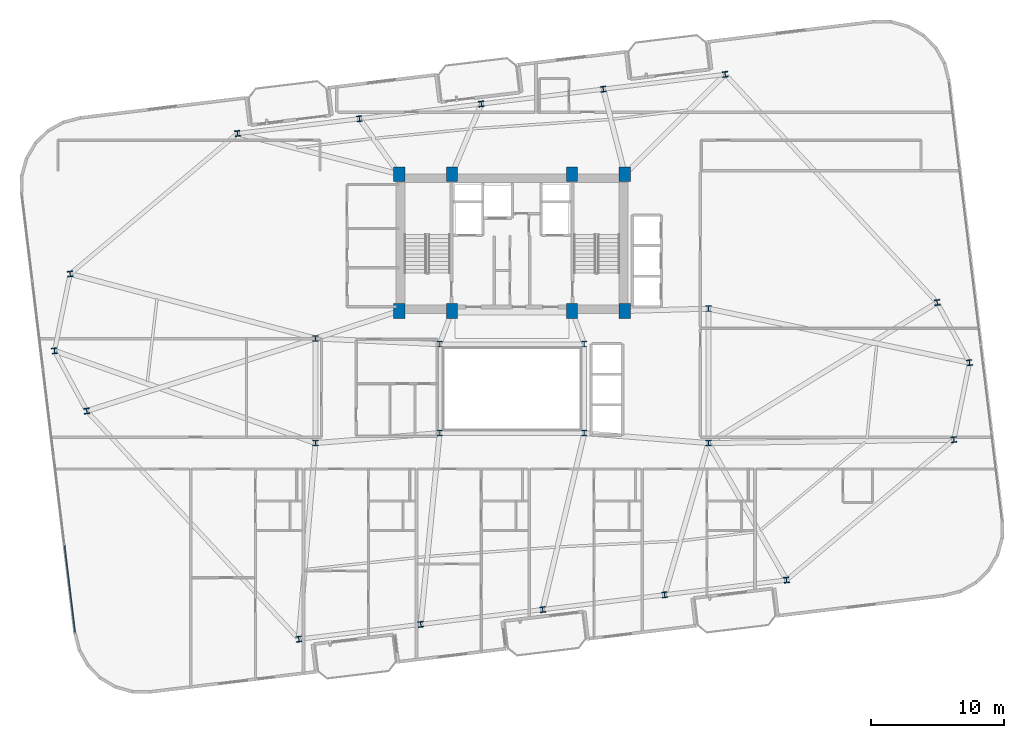
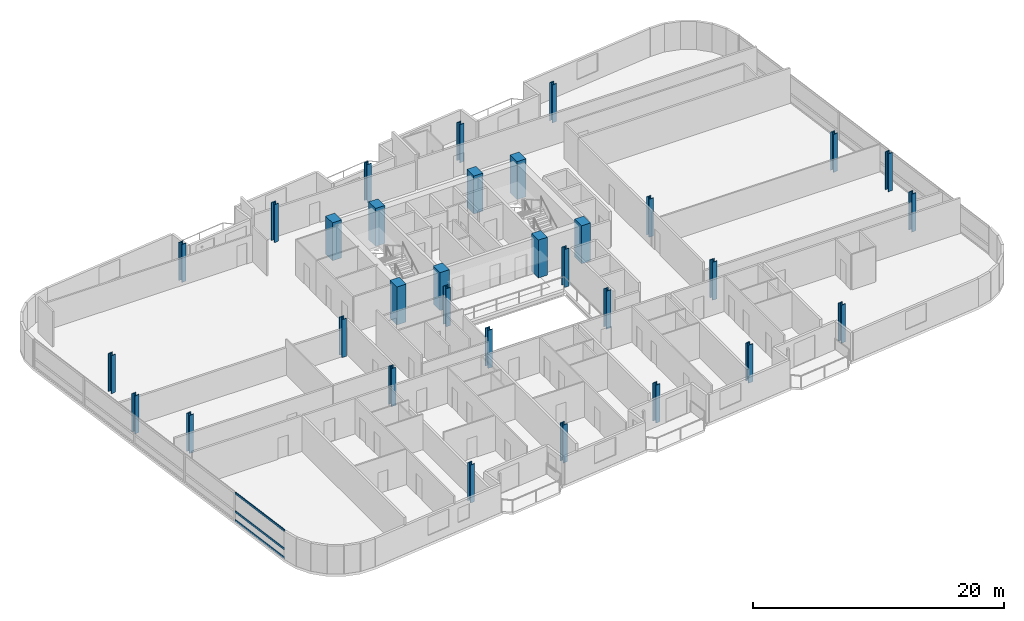
# One storey, part 1 of 23: 32 columns, 3 members, 1 element without a shape of its own.
"""IFC4 building model written with IfcOpenShell, lengths in metres."""

from ifc_helpers import new_model, si_unit, direction, frame, origin, origin_2d, place, context, subcontext, project, spatial, rectangle, hollow_rectangle, i_section, extrude, material, layer, layer_set, material_profile, profile_set, type_object, element, aggregate, save


model = new_model("IFC4")

# Units and contexts
model_context = context("Model", 3, precision=1e-05, world=origin(), true_north=direction((0.0, 1.0)))
body_context = subcontext(model_context, "Body", "Model", "MODEL_VIEW")
ifc_project = project(units=[si_unit("LENGTHUNIT", "METRE"), si_unit("AREAUNIT", "SQUARE_METRE"), si_unit("VOLUMEUNIT", "CUBIC_METRE"), si_unit("PLANEANGLEUNIT", "RADIAN"), si_unit("MASSUNIT", "GRAM", prefix="KILO")], contexts=[model_context])

# Site, building, storey
site_placement = place(None, origin())
site = spatial("IfcSite", under=ifc_project, at=site_placement, CompositionType="ELEMENT")
building_placement = place(site_placement, origin())
building = spatial("IfcBuilding", under=site, at=building_placement, Name="Varnelok Gate Tower", CompositionType="ELEMENT")
storey_placement = place(building_placement, frame((0.0, 0.0, 189.39990234375)))
storey = spatial("IfcBuildingStorey", under=building, at=storey_placement, Name="L48", CompositionType="ELEMENT", Elevation=189.39990234375)

# Columns
ifc_material_1 = material(Name="Concrete C60/75", Category="concrete")
ifc_material_profile_1 = material_profile(ifc_material_1, rectangle(XDim=0.85009765625, YDim=1.10009765625, at=origin_2d()), Name="RC1100X850")
ifc_profile_set_1 = profile_set([ifc_material_profile_1], Name="Concrete C60/75")
column_type_1 = type_object("IfcColumnType", Name="COL-RC1100X850", PredefinedType="COLUMN", material=ifc_profile_set_1)
for number, where, z_axis, x_axis, name in (
    (1, (30.699951171875, 28.75, 0.0), (0.0, 0.0, 1.0), (1.0, 0.0, 0.0), "L48 Core Spine Column SC1"),
    (2, (34.679931640625, 28.75, 0.0), (0.0, 0.0, 1.0), (1.0, 0.0, 0.0), "L48 Core Spine Column SC2"),
    (3, (43.719970703125, 28.75, 0.0), (0.0, 0.0, 1.0), (1.0, 0.0, 0.0), "L48 Core Spine Column SC3"),
    (4, (47.699951171875, 28.75, 0.0), (0.0, 0.0, 1.0), (1.0, 0.0, 0.0), "L48 Core Spine Column SC4"),
    (5, (30.699951171875, 39.050048828125, 0.0), (0.0, 0.0, 1.0), (1.0, 0.0, 0.0), "L48 Core Spine Column SC5"),
    (6, (34.679931640625, 39.050048828125, 0.0), (0.0, 0.0, 1.0), (1.0, 0.0, 0.0), "L48 Core Spine Column SC6"),
    (7, (43.719970703125, 39.050048828125, 0.0), (0.0, 0.0, 1.0), (1.0, 0.0, 0.0), "L48 Core Spine Column SC7"),
    (8, (47.699951171875, 39.050048828125, 0.0), (0.0, 0.0, 1.0), (1.0, 0.0, 0.0), "L48 Core Spine Column SC8"),
):
    element("IfcColumn", number, at=place(storey_placement, frame(where, z_axis=z_axis, x_axis=x_axis)), inside=storey, type_object=column_type_1, Name=name, PredefinedType="COLUMN", context=body_context, shape_type="SweptSolid", body=[
        extrude(rectangle(XDim=0.85009765625, YDim=1.10009765625, at=origin_2d()), origin(), (0.0, 0.0, 1.0), 3.7001953125),
    ])
ifc_material_2 = material(Name="Structural Steel ASTM A992 Grade 50", Category="steel")
ifc_material_profile_2 = material_profile(ifc_material_2, i_section(OverallWidth=0.412109375, OverallDepth=0.43505859375, WebThickness=0.035888671875, FlangeThickness=0.057373046875, FilletRadius=0.02490234375, at=origin_2d()), Name="W14X311")
ifc_profile_set_2 = profile_set([ifc_material_profile_2], Name="Structural Steel ASTM A992 Grade 50")
column_type_2 = type_object("IfcColumnType", Name="COL-W14X311", PredefinedType="COLUMN", material=ifc_profile_set_2)
for number, where, z_axis, x_axis, name in (
    (9, (23.142578125, 4.032958984375, 0.0), (0.0, 0.0, 1.0), (0.992732158755, 0.12034475881, 0.0), "L48 B4 Perimeter Column PC01"),
    (10, (32.325439453125, 5.146240234375, 0.0), (0.0, 0.0, 1.0), (0.992732158755, 0.12034475881, 0.0), "L48 B4 Perimeter Column PC02"),
    (11, (41.50830078125, 6.259521484375, 0.0), (0.0, 0.0, 1.0), (0.992732158755, 0.12034475881, 0.0), "L48 B4 Perimeter Column PC03"),
    (12, (50.69091796875, 7.37255859375, 0.0), (0.0, 0.0, 1.0), (0.992732158755, 0.12034475881, 0.0), "L48 B4 Perimeter Column PC04"),
    (13, (59.873779296875, 8.48583984375, 0.0), (0.0, 0.0, 1.0), (0.992732158755, 0.12034475881, 0.0), "L48 B4 Perimeter Column PC05"),
    (14, (72.476806640625, 19.059326171875, 0.0), (0.0, 0.0, 1.0), (0.992732158755, 0.12034475881, 0.0), "L48 B4 Perimeter Column PC06"),
    (15, (73.654296875, 24.85302734375, 0.0), (0.0, 0.0, 1.0), (0.992732158755, 0.12034475881, 0.0), "L48 B4 Perimeter Column PC07"),
    (16, (71.225341796875, 29.3837890625, 0.0), (0.0, 0.0, 1.0), (0.992732158755, 0.12034475881, 0.0), "L48 B4 Perimeter Column PC08"),
    (17, (55.25732421875, 46.56689453125, 0.0), (0.0, 0.0, 1.0), (0.992732158755, 0.12034475881, 0.0), "L48 B4 Perimeter Column PC09"),
    (18, (46.07470703125, 45.453857421875, 0.0), (0.0, 0.0, 1.0), (0.992732158755, 0.12034475881, 0.0), "L48 B4 Perimeter Column PC10"),
    (19, (36.891845703125, 44.340576171875, 0.0), (0.0, 0.0, 1.0), (0.992732158755, 0.12034475881, 0.0), "L48 B4 Perimeter Column PC11"),
    (20, (27.708984375, 43.227294921875, 0.0), (0.0, 0.0, 1.0), (0.992732158755, 0.12034475881, 0.0), "L48 B4 Perimeter Column PC12"),
    (21, (18.526123046875, 42.1142578125, 0.0), (0.0, 0.0, 1.0), (0.992732158755, 0.12034475881, 0.0), "L48 B4 Perimeter Column PC13"),
    (22, (5.923095703125, 31.540771484375, 0.0), (0.0, 0.0, 1.0), (0.992732158755, 0.12034475881, 0.0), "L48 B4 Perimeter Column PC14"),
    (23, (4.745849609375, 25.746826171875, 0.0), (0.0, 0.0, 1.0), (0.992732158755, 0.12034475881, 0.0), "L48 B4 Perimeter Column PC15"),
    (24, (7.1748046875, 21.21630859375, 0.0), (0.0, 0.0, 1.0), (0.992732158755, 0.12034475881, 0.0), "L48 B4 Perimeter Column PC16"),
):
    element("IfcColumn", number, at=place(storey_placement, frame(where, z_axis=z_axis, x_axis=x_axis)), inside=storey, type_object=column_type_2, Name=name, PredefinedType="COLUMN", context=body_context, shape_type="SweptSolid", body=[
        extrude(i_section(OverallWidth=0.412109375, OverallDepth=0.43505859375, WebThickness=0.035888671875, FlangeThickness=0.057373046875, FilletRadius=0.02490234375, at=origin_2d()), origin(), (0.0, 0.0, 1.0), 3.7001953125),
    ])
ifc_material_profile_3 = material_profile(ifc_material_2, i_section(OverallWidth=0.41796875, OverallDepth=0.455078125, WebThickness=0.0419921875, FlangeThickness=0.067626953125, FilletRadius=0.02490234375, at=origin_2d()), Name="W14X370")
ifc_profile_set_3 = profile_set([ifc_material_profile_3], Name="Structural Steel ASTM A992 Grade 50")
column_type_3 = type_object("IfcColumnType", Name="COL-W14X370", PredefinedType="COLUMN", material=ifc_profile_set_3)
for number, where, z_axis, x_axis, name in (
    (25, (33.75, 19.550048828125, 0.0), (0.0, 0.0, 1.0), (1.0, 0.0, 0.0), "L48 Atrium Spine Column AC1"),
    (26, (44.64990234375, 19.550048828125, 0.0), (0.0, 0.0, 1.0), (1.0, 0.0, 0.0), "L48 Atrium Spine Column AC2"),
    (27, (33.75, 26.25, 0.0), (0.0, 0.0, 1.0), (1.0, 0.0, 0.0), "L48 Atrium Spine Column AC3"),
    (28, (44.64990234375, 26.25, 0.0), (0.0, 0.0, 1.0), (1.0, 0.0, 0.0), "L48 Atrium Spine Column AC4"),
    (29, (24.39990234375, 18.800048828125, 0.0), (0.0, 0.0, 1.0), (1.0, 0.0, 0.0), "L48 Wing Spine Column WS1"),
    (30, (24.39990234375, 26.679931640625, 0.0), (0.0, 0.0, 1.0), (1.0, 0.0, 0.0), "L48 Wing Spine Column WS2"),
    (31, (54.0, 18.800048828125, 0.0), (0.0, 0.0, 1.0), (1.0, 0.0, 0.0), "L48 Wing Spine Column ES1"),
    (32, (54.0, 28.919921875, 0.0), (0.0, 0.0, 1.0), (1.0, 0.0, 0.0), "L48 Wing Spine Column ES2"),
):
    element("IfcColumn", number, at=place(storey_placement, frame(where, z_axis=z_axis, x_axis=x_axis)), inside=storey, type_object=column_type_3, Name=name, PredefinedType="COLUMN", context=body_context, shape_type="SweptSolid", body=[
        extrude(i_section(OverallWidth=0.41796875, OverallDepth=0.455078125, WebThickness=0.0419921875, FlangeThickness=0.067626953125, FilletRadius=0.02490234375, at=origin_2d()), origin(), (0.0, 0.0, 1.0), 3.7001953125),
    ])

# Curtain wall, members
ifc_material_3 = material(Name="Anodized Aluminum Alloy 6063-T6", Category="aluminium")
ifc_layer = layer(ifc_material_3, 0.179931640625)
ifc_layer_set = layer_set([ifc_layer], Name="Anodized Aluminum Alloy 6063-T6")
curtain_wall_type = type_object("IfcCurtainWallType", Name="CW4-RESIDENCE-VISION", PredefinedType="USERDEFINED", material=ifc_layer_set)
curtain_wall_placement = place(storey_placement, origin())
curtain_wall = element("IfcCurtainWall", 33, at=curtain_wall_placement, inside=storey, type_object=curtain_wall_type, Name="L48 West End Vision Curtain Wall", ObjectType="UNITISED CURTAIN WALL", PredefinedType="USERDEFINED")
ifc_material_profile_4 = material_profile(ifc_material_3, hollow_rectangle(XDim=0.074951171875, YDim=0.199951171875, WallThickness=0.00390625, at=origin_2d()), Name="ALU200X75X4")
ifc_profile_set_4 = profile_set([ifc_material_profile_4], Name="Anodized Aluminum Alloy 6063-T6")
member_type = type_object("IfcMemberType", Name="CW-TRAN-200", PredefinedType="USERDEFINED", material=ifc_profile_set_4)
member_1_placement = place(storey_placement, frame((6.29638671875, 4.564453125, 0.03759765625), z_axis=(-0.120369113246, 0.992729206066, 0.0), x_axis=(-0.992729206066, -0.120369113246, 0.0)))
member_1 = element("IfcMember", 34, at=member_1_placement, type_object=member_type, Name="CW4 transom 1.1", ObjectType="TRANSOM", PredefinedType="USERDEFINED", context=body_context, shape_type="SweptSolid", body=[
    extrude(hollow_rectangle(XDim=0.074951171875, YDim=0.199951171875, WallThickness=0.00390625, at=origin_2d()), origin(), (0.0, 0.0, 1.0), 6.567626953125),
])
member_2_placement = place(storey_placement, frame((6.29638671875, 4.564453125, 0.900146484375), z_axis=(-0.120369113246, 0.992729206066, 0.0), x_axis=(-0.992729206066, -0.120369113246, 0.0)))
member_2 = element("IfcMember", 35, at=member_2_placement, type_object=member_type, Name="CW4 transom 1.2", ObjectType="TRANSOM", PredefinedType="USERDEFINED", context=body_context, shape_type="SweptSolid", body=[
    extrude(hollow_rectangle(XDim=0.074951171875, YDim=0.199951171875, WallThickness=0.00390625, at=origin_2d()), origin(), (0.0, 0.0, 1.0), 6.567626953125),
])
member_3_placement = place(storey_placement, frame((6.29638671875, 4.564453125, 2.692626953125), z_axis=(-0.120369113246, 0.992729206066, 0.0), x_axis=(-0.992729206066, -0.120369113246, 0.0)))
member_3 = element("IfcMember", 36, at=member_3_placement, type_object=member_type, Name="CW4 transom 1.3", ObjectType="TRANSOM", PredefinedType="USERDEFINED", context=body_context, shape_type="SweptSolid", body=[
    extrude(hollow_rectangle(XDim=0.074951171875, YDim=0.199951171875, WallThickness=0.00390625, at=origin_2d()), origin(), (0.0, 0.0, 1.0), 6.567626953125),
])
aggregate(curtain_wall, [member_1, member_2, member_3])

save(model, "model.ifc")
